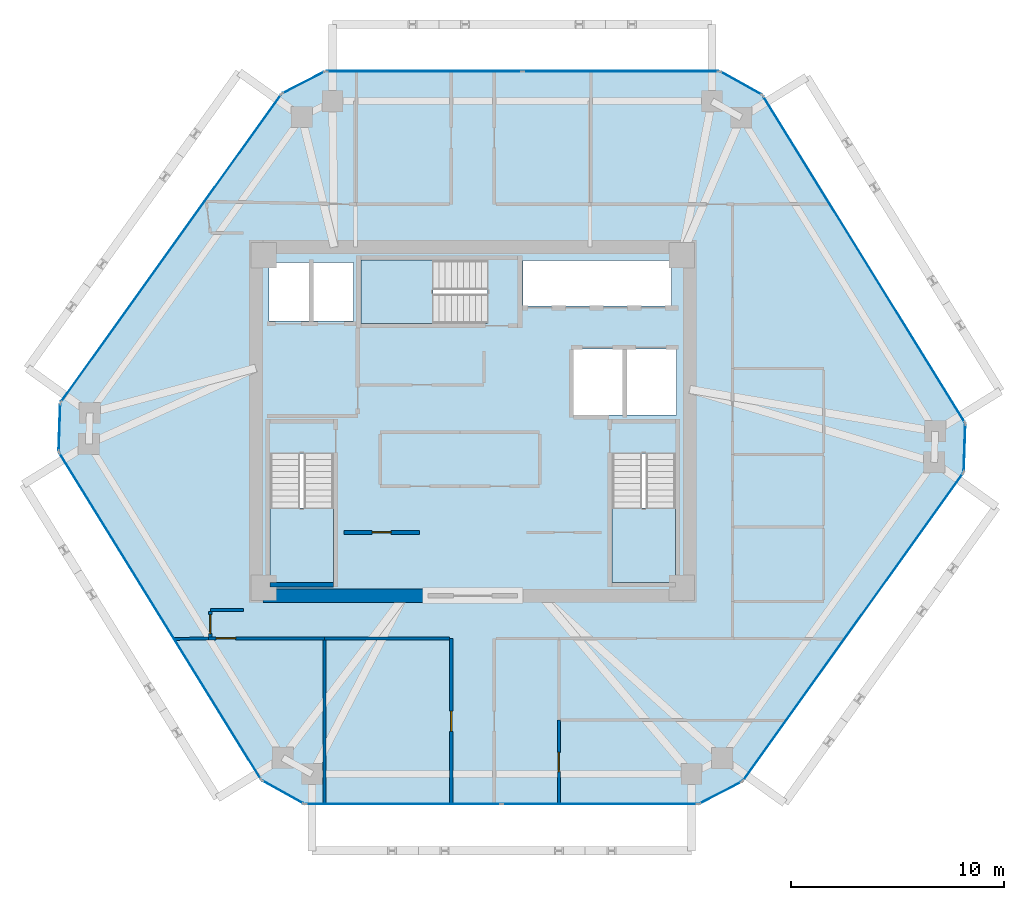
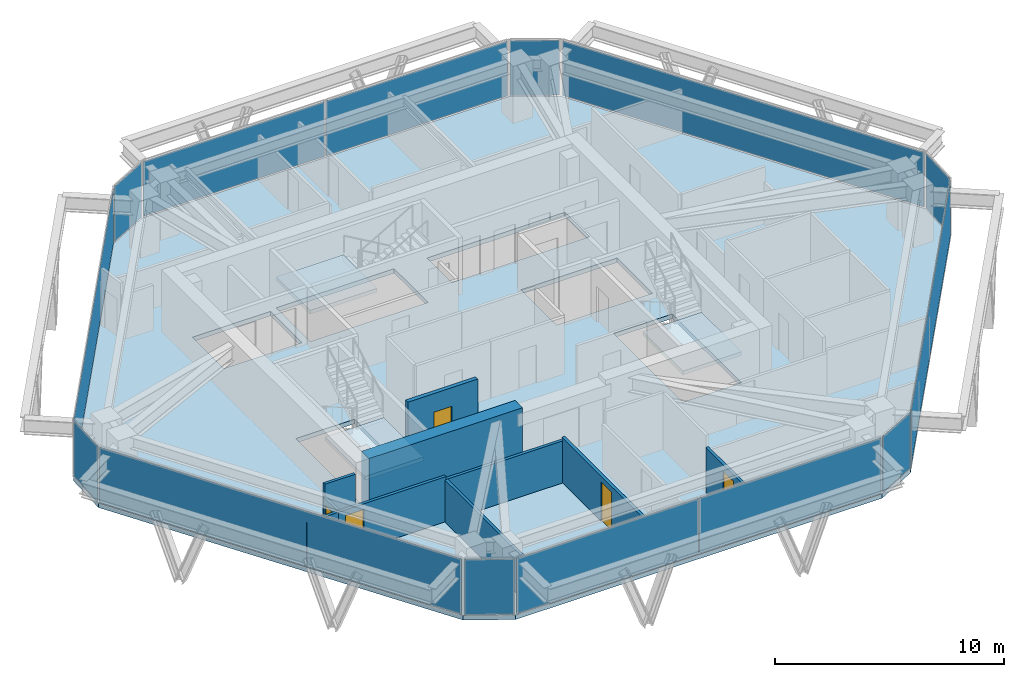
# One storey, part 7 of 11: 14 plates, 11 walls, 5 doors, 4 slabs, 5 openings, 15 elements without a shape of their own.
"""IFC4 building model written with IfcOpenShell, lengths in metres."""

from ifc_helpers import new_model, si_unit, direction, frame, frame_2d, origin, origin_2d, place, context, subcontext, project, spatial, polyline, rectangle, outline, extrude, source, transform, mapped, material, layer, layer_set, type_object, type_shapes, element, fill, aggregate, save


model = new_model("IFC4")

# Units and contexts
model_context = context("Model", 3, precision=1e-05, world=origin(), true_north=direction((0.0, 1.0)))
body_context = subcontext(model_context, "Body", "Model", "MODEL_VIEW")
ifc_project = project(units=[si_unit("LENGTHUNIT", "METRE"), si_unit("AREAUNIT", "SQUARE_METRE"), si_unit("VOLUMEUNIT", "CUBIC_METRE"), si_unit("PLANEANGLEUNIT", "RADIAN"), si_unit("MASSUNIT", "GRAM", prefix="KILO")], contexts=[model_context])

# Site, building, storey
site_placement = place(None, origin())
site = spatial("IfcSite", under=ifc_project, at=site_placement, CompositionType="ELEMENT")
building_placement = place(site_placement, origin())
building = spatial("IfcBuilding", under=site, at=building_placement, Name="Durnholm Broadcast Tower", CompositionType="ELEMENT")
storey_placement = place(building_placement, frame((0.0, 0.0, 183.699951171875)))
storey = spatial("IfcBuildingStorey", under=building, at=storey_placement, Name="L50", CompositionType="ELEMENT", Elevation=183.699951171875)

# Slab
ifc_material_1 = material(Name="Concrete C50/60", Category="concrete")
ifc_layer_1 = layer(ifc_material_1, 0.239990234375)
ifc_layer_set_1 = layer_set([ifc_layer_1], Name="Concrete C50/60")
slab_type_1 = type_object("IfcSlabType", Name="SLAB-FLR-240", PredefinedType="FLOOR", material=ifc_layer_set_1)
slab_1_placement = place(storey_placement, frame((0.0, 0.0, -0.239990234375)))
element("IfcSlab", 1, at=slab_1_placement, inside=storey, type_object=slab_type_1, Name="L50 structural floor slab", PredefinedType="FLOOR", context=body_context, shape_type="SweptSolid", body=[
    extrude(outline(polyline([(-9.912353515625, -16.822021484375), (-7.9033203125, -17.94189453125), (10.59521484375, -17.94189453125), (12.64111328125, -16.890625), (23.022705078125, -2.390380859375), (23.1005859375, -0.091552734375), (13.59033203125, 15.2978515625), (11.581298828125, 16.41796875), (-6.917236328125, 16.41796875), (-8.962890625, 15.36669921875), (-19.3447265625, 0.8662109375), (-19.422607421875, -1.432373046875), (-9.912353515625, -16.822021484375)]), holes=[polyline([(-6.5400390625, -1.5), (-9.5, -1.5), (-9.5, -7.550048828125), (-6.5400390625, -7.550048828125), (-6.5400390625, -1.5)]), polyline([(9.5, -7.550048828125), (9.5, -1.5), (6.5400390625, -1.5), (6.5400390625, -7.550048828125), (9.5, -7.550048828125)]), polyline([(9.550048828125, 3.39990234375), (4.699951171875, 3.39990234375), (4.699951171875, 0.300048828125), (9.550048828125, 0.300048828125), (9.550048828125, 3.39990234375)]), polyline([(-9.550048828125, 7.449951171875), (-9.550048828125, 4.699951171875), (-5.60009765625, 4.699951171875), (-5.60009765625, 7.449951171875), (-9.550048828125, 7.449951171875)]), polyline([(-5.25, 4.60009765625), (0.699951171875, 4.60009765625), (0.699951171875, 7.56005859375), (-5.25, 7.56005859375), (-5.25, 4.60009765625)]), polyline([(9.31005859375, 7.550048828125), (2.35009765625, 7.550048828125), (2.35009765625, 5.39990234375), (9.31005859375, 5.39990234375), (9.31005859375, 7.550048828125)])]), origin(), (0.0, 0.0, 1.0), 0.239990234375),
])

# Stair, slab
stair_type = type_object("IfcStairType", Name="STAIR-DL-20R1650", PredefinedType="HALF_TURN_STAIR", material=ifc_material_1)
stair_1_placement = place(storey_placement, origin())
stair_1 = element("IfcStair", 2, at=stair_1_placement, inside=storey, type_object=stair_type, Name="L50 ST-1", PredefinedType="HALF_TURN_STAIR")
ifc_layer_2 = layer(ifc_material_1, 0.199951171875)
ifc_layer_set_2 = layer_set([ifc_layer_2], Name="Concrete C50/60")
slab_type_2 = type_object("IfcSlabType", Name="SLAB-LND-200", PredefinedType="LANDING", material=ifc_layer_set_2)
slab_2_placement = place(storey_placement, frame((0.0, 0.0, 1.449951171875)))
slab_2 = element("IfcSlab", 3, at=slab_2_placement, type_object=slab_type_2, Name="ST-1 landing 1", PredefinedType="LANDING", context=body_context, shape_type="SweptSolid", body=[
    extrude(outline(polyline([(-9.5, -4.06494140625), (-9.5, -7.550048828125), (-6.5400390625, -7.550048828125), (-6.5400390625, -4.06494140625), (-9.5, -4.06494140625)])), origin(), (0.0, 0.0, 1.0), 0.2001953125),
])
aggregate(stair_1, [slab_2])

stair_2_placement = place(storey_placement, origin())
stair_2 = element("IfcStair", 4, at=stair_2_placement, inside=storey, type_object=stair_type, Name="L50 ST-2", PredefinedType="HALF_TURN_STAIR")
slab_3_placement = place(storey_placement, frame((0.0, 0.0, 1.449951171875)))
slab_3 = element("IfcSlab", 5, at=slab_3_placement, type_object=slab_type_2, Name="ST-2 landing 1", PredefinedType="LANDING", context=body_context, shape_type="SweptSolid", body=[
    extrude(outline(polyline([(6.5400390625, -4.06494140625), (6.5400390625, -7.550048828125), (9.5, -7.550048828125), (9.5, -4.06494140625), (6.5400390625, -4.06494140625)])), origin(), (0.0, 0.0, 1.0), 0.2001953125),
])
aggregate(stair_2, [slab_3])

stair_3_placement = place(storey_placement, origin())
stair_3 = element("IfcStair", 6, at=stair_3_placement, inside=storey, type_object=stair_type, Name="L50 ST-3", PredefinedType="HALF_TURN_STAIR")
slab_4_placement = place(storey_placement, frame((0.0, 0.0, 1.449951171875)))
slab_4 = element("IfcSlab", 7, at=slab_4_placement, type_object=slab_type_2, Name="ST-3 landing 1", PredefinedType="LANDING", context=body_context, shape_type="SweptSolid", body=[
    extrude(outline(polyline([(-1.864990234375, 7.56005859375), (-5.25, 7.56005859375), (-5.25, 4.60009765625), (-1.864990234375, 4.60009765625), (-1.864990234375, 7.56005859375)])), origin(), (0.0, 0.0, 1.0), 0.2001953125),
])
aggregate(stair_3, [slab_4])

# Curtain wall, plate
ifc_material_2 = material(Name="Aluminium and Solar Control IGU", Category="aluminium")
ifc_layer_3 = layer(ifc_material_2, 0.1650390625)
ifc_layer_set_3 = layer_set([ifc_layer_3], Name="Aluminium and Solar Control IGU")
curtain_wall_type_1 = type_object("IfcCurtainWallType", Name="CW-SYS-5", PredefinedType="NOTDEFINED", material=ifc_layer_set_3)
curtain_wall_1_placement = place(storey_placement, origin())
curtain_wall_1 = element("IfcCurtainWall", 8, at=curtain_wall_1_placement, inside=storey, type_object=curtain_wall_type_1, Name="L50 curtain wall CW-CORNER CW-L50-CRN-01", PredefinedType="NOTDEFINED")
ifc_material_3 = material(Name="Low-E Laminated Insulating Glass", Category="glass")
ifc_layer_4 = layer(ifc_material_3, 0.030029296875)
ifc_layer_set_4 = layer_set([ifc_layer_4], Name="Low-E Laminated Insulating Glass")
plate_type_1 = type_object("IfcPlateType", Name="CW-SYS-5-PNL", PredefinedType="CURTAIN_PANEL", material=ifc_layer_set_4)
shared_shape_1 = source(origin(), body_context, "Body", "SweptSolid", [
    extrude(rectangle(XDim=2.169921875, YDim=0.030029296875, at=origin_2d()), origin(), (0.0, 0.0, 1.0), 2.929931640625),
])
plate_1_placement = place(storey_placement, frame((-19.3837890625, -0.282958984375, 0.06494140625), z_axis=(0.0, 0.0, 1.0), x_axis=(0.033912704699, 0.999424798802, 0.0)))
plate_1 = element("IfcPlate", 9, at=plate_1_placement, type_object=plate_type_1, Name="CW-CORNER panel 1.1", PredefinedType="CURTAIN_PANEL", context=body_context, shape_type="MappedRepresentation", body=[
    mapped(shared_shape_1, transform((0.0, 0.0, 0.0), x_axis=(1.0, 0.0, 0.0), y_axis=(0.0, 1.0, 0.0), z_axis=(0.0, 0.0, 1.0), scale=1.0)),
])
aggregate(curtain_wall_1, [plate_1])

curtain_wall_2_placement = place(storey_placement, origin())
curtain_wall_2 = element("IfcCurtainWall", 10, at=curtain_wall_2_placement, inside=storey, type_object=curtain_wall_type_1, Name="L50 curtain wall CW-CORNER CW-L50-CRN-03", PredefinedType="NOTDEFINED")
plate_2_placement = place(storey_placement, frame((-7.940185546875, 15.892333984375, 0.06494140625), z_axis=(0.0, 0.0, 1.0), x_axis=(0.889424679545, 0.457081764476, 0.0)))
plate_2 = element("IfcPlate", 11, at=plate_2_placement, type_object=plate_type_1, Name="CW-CORNER panel 1.1", PredefinedType="CURTAIN_PANEL", context=body_context, shape_type="MappedRepresentation", body=[
    mapped(shared_shape_1, transform((0.0, 0.0, 0.0), x_axis=(1.0, 0.0, 0.0), y_axis=(0.0, 1.0, 0.0), z_axis=(0.0, 0.0, 1.0), scale=1.0)),
])
aggregate(curtain_wall_2, [plate_2])

curtain_wall_3_placement = place(storey_placement, origin())
curtain_wall_3 = element("IfcCurtainWall", 12, at=curtain_wall_3_placement, inside=storey, type_object=curtain_wall_type_1, Name="L50 curtain wall CW-CORNER CW-L50-CRN-07", PredefinedType="NOTDEFINED")
plate_3_placement = place(storey_placement, frame((23.061767578125, -1.240966796875, 0.06494140625), z_axis=(0.0, 0.0, 1.0), x_axis=(-0.033912704699, -0.999424798802, 0.0)))
plate_3 = element("IfcPlate", 13, at=plate_3_placement, type_object=plate_type_1, Name="CW-CORNER panel 1.1", PredefinedType="CURTAIN_PANEL", context=body_context, shape_type="MappedRepresentation", body=[
    mapped(shared_shape_1, transform((0.0, 0.0, 0.0), x_axis=(1.0, 0.0, 0.0), y_axis=(0.0, 1.0, 0.0), z_axis=(0.0, 0.0, 1.0), scale=1.0)),
])
aggregate(curtain_wall_3, [plate_3])

curtain_wall_4_placement = place(storey_placement, origin())
curtain_wall_4 = element("IfcCurtainWall", 14, at=curtain_wall_4_placement, inside=storey, type_object=curtain_wall_type_1, Name="L50 curtain wall CW-CORNER CW-L50-CRN-09", PredefinedType="NOTDEFINED")
plate_4_placement = place(storey_placement, frame((11.6181640625, -17.416259765625, 0.06494140625), z_axis=(0.0, 0.0, 1.0), x_axis=(-0.889424679545, -0.457081764476, 0.0)))
plate_4 = element("IfcPlate", 15, at=plate_4_placement, type_object=plate_type_1, Name="CW-CORNER panel 1.1", PredefinedType="CURTAIN_PANEL", context=body_context, shape_type="MappedRepresentation", body=[
    mapped(shared_shape_1, transform((0.0, 0.0, 0.0), x_axis=(1.0, 0.0, 0.0), y_axis=(0.0, 1.0, 0.0), z_axis=(0.0, 0.0, 1.0), scale=1.0)),
])
aggregate(curtain_wall_4, [plate_4])

ifc_layer_5 = layer(ifc_material_2, 0.18994140625)
ifc_layer_set_5 = layer_set([ifc_layer_5], Name="Aluminium and Solar Control IGU")
curtain_wall_type_2 = type_object("IfcCurtainWallType", Name="CW-SYS-4", PredefinedType="NOTDEFINED", material=ifc_layer_set_5)
curtain_wall_5_placement = place(storey_placement, origin())
curtain_wall_5 = element("IfcCurtainWall", 16, at=curtain_wall_5_placement, inside=storey, type_object=curtain_wall_type_2, Name="L50 curtain wall CW-Z34-VIS CW-L50-F02", PredefinedType="NOTDEFINED")
ifc_layer_6 = layer(ifc_material_3, 0.033935546875)
ifc_layer_set_6 = layer_set([ifc_layer_6], Name="Low-E Laminated Insulating Glass")
plate_type_2 = type_object("IfcPlateType", Name="CW-SYS-4-PNL", PredefinedType="CURTAIN_PANEL", material=ifc_layer_set_6)
shared_shape_2 = source(origin(), body_context, "Body", "SweptSolid", [
    extrude(rectangle(XDim=17.693603515625, YDim=0.033935546875, at=origin_2d()), origin(), (0.0, 0.0, 1.0), 2.919921875),
])
plate_5_placement = place(storey_placement, frame((-14.15380859375, 8.116455078125, 0.070068359375), z_axis=(0.0, 0.0, 1.0), x_axis=(0.582139030549, 0.813089262696, 0.0)))
plate_5 = element("IfcPlate", 17, at=plate_5_placement, type_object=plate_type_2, Name="CW-Z34-VIS panel 1.1", PredefinedType="CURTAIN_PANEL", context=body_context, shape_type="MappedRepresentation", body=[
    mapped(shared_shape_2, transform((0.0, 0.0, 0.0), x_axis=(1.0, 0.0, 0.0), y_axis=(0.0, 1.0, 0.0), z_axis=(0.0, 0.0, 1.0), scale=1.0)),
])
aggregate(curtain_wall_5, [plate_5])

curtain_wall_6_placement = place(storey_placement, origin())
curtain_wall_6 = element("IfcCurtainWall", 18, at=curtain_wall_6_placement, inside=storey, type_object=curtain_wall_type_2, Name="L50 curtain wall CW-Z34-VIS CW-L50-F08", PredefinedType="NOTDEFINED")
plate_6_placement = place(storey_placement, frame((17.831787109375, -9.640380859375, 0.070068359375), z_axis=(0.0, 0.0, 1.0), x_axis=(-0.582139030549, -0.813089262696, 0.0)))
plate_6 = element("IfcPlate", 19, at=plate_6_placement, type_object=plate_type_2, Name="CW-Z34-VIS panel 1.1", PredefinedType="CURTAIN_PANEL", context=body_context, shape_type="MappedRepresentation", body=[
    mapped(shared_shape_2, transform((0.0, 0.0, 0.0), x_axis=(1.0, 0.0, 0.0), y_axis=(0.0, 1.0, 0.0), z_axis=(0.0, 0.0, 1.0), scale=1.0)),
])
aggregate(curtain_wall_6, [plate_6])

# Curtain wall, plates
curtain_wall_7_placement = place(storey_placement, origin())
curtain_wall_7 = element("IfcCurtainWall", 20, at=curtain_wall_7_placement, inside=storey, type_object=curtain_wall_type_2, Name="L50 curtain wall CW-Z34-VIS CW-L50-F04", PredefinedType="NOTDEFINED")
shared_shape_3 = source(origin(), body_context, "Body", "SweptSolid", [
    extrude(rectangle(XDim=9.144287109375, YDim=0.033935546875, at=origin_2d()), origin(), (0.0, 0.0, 1.0), 2.919921875),
])
plate_7_placement = place(storey_placement, frame((-2.275146484375, 16.41796875, 0.070068359375), z_axis=(0.0, 0.0, 1.0), x_axis=(1.0, 0.0, 0.0)))
plate_7 = element("IfcPlate", 21, at=plate_7_placement, type_object=plate_type_2, Name="CW-Z34-VIS panel 1.1", PredefinedType="CURTAIN_PANEL", context=body_context, shape_type="MappedRepresentation", body=[
    mapped(shared_shape_3, transform((0.0, 0.0, 0.0), x_axis=(1.0, 0.0, 0.0), y_axis=(0.0, 1.0, 0.0), z_axis=(0.0, 0.0, 1.0), scale=1.0)),
])
plate_8_placement = place(storey_placement, frame((6.939208984375, 16.41796875, 0.070068359375), z_axis=(0.0, 0.0, 1.0), x_axis=(1.0, 0.0, 0.0)))
plate_8 = element("IfcPlate", 22, at=plate_8_placement, type_object=plate_type_2, Name="CW-Z34-VIS panel 2.1", PredefinedType="CURTAIN_PANEL", context=body_context, shape_type="MappedRepresentation", body=[
    mapped(shared_shape_3, transform((0.0, 0.0, 0.0), x_axis=(1.0, 0.0, 0.0), y_axis=(0.0, 1.0, 0.0), z_axis=(0.0, 0.0, 1.0), scale=1.0)),
])
aggregate(curtain_wall_7, [plate_7, plate_8])

curtain_wall_8_placement = place(storey_placement, origin())
curtain_wall_8 = element("IfcCurtainWall", 23, at=curtain_wall_8_placement, inside=storey, type_object=curtain_wall_type_2, Name="L50 curtain wall CW-Z34-VIS CW-L50-F10", PredefinedType="NOTDEFINED")
plate_9_placement = place(storey_placement, frame((5.953125, -17.94189453125, 0.070068359375), z_axis=(0.0, 0.0, 1.0), x_axis=(-1.0, 0.0, 0.0)))
plate_9 = element("IfcPlate", 24, at=plate_9_placement, type_object=plate_type_2, Name="CW-Z34-VIS panel 1.1", PredefinedType="CURTAIN_PANEL", context=body_context, shape_type="MappedRepresentation", body=[
    mapped(shared_shape_3, transform((0.0, 0.0, 0.0), x_axis=(1.0, 0.0, 0.0), y_axis=(0.0, 1.0, 0.0), z_axis=(0.0, 0.0, 1.0), scale=1.0)),
])
plate_10_placement = place(storey_placement, frame((-3.26123046875, -17.94189453125, 0.070068359375), z_axis=(0.0, 0.0, 1.0), x_axis=(-1.0, 0.0, 0.0)))
plate_10 = element("IfcPlate", 25, at=plate_10_placement, type_object=plate_type_2, Name="CW-Z34-VIS panel 2.1", PredefinedType="CURTAIN_PANEL", context=body_context, shape_type="MappedRepresentation", body=[
    mapped(shared_shape_3, transform((0.0, 0.0, 0.0), x_axis=(1.0, 0.0, 0.0), y_axis=(0.0, 1.0, 0.0), z_axis=(0.0, 0.0, 1.0), scale=1.0)),
])
aggregate(curtain_wall_8, [plate_9, plate_10])

# Curtain wall, plate
curtain_wall_9_placement = place(storey_placement, origin())
curtain_wall_9 = element("IfcCurtainWall", 26, at=curtain_wall_9_placement, inside=storey, type_object=curtain_wall_type_1, Name="L50 curtain wall CW-CORNER CW-L50-CRN-05", PredefinedType="NOTDEFINED")
shared_shape_4 = source(origin(), body_context, "Body", "SweptSolid", [
    extrude(rectangle(XDim=2.170166015625, YDim=0.030029296875, at=origin_2d()), origin(), (0.0, 0.0, 1.0), 2.929931640625),
])
type_shapes(plate_type_1, [shared_shape_1, shared_shape_4])
plate_11_placement = place(storey_placement, frame((12.5859375, 15.85791015625, 0.06494140625), z_axis=(0.0, 0.0, 1.0), x_axis=(0.873409751271, -0.486986043316, 0.0)))
plate_11 = element("IfcPlate", 27, at=plate_11_placement, type_object=plate_type_1, Name="CW-CORNER panel 1.1", PredefinedType="CURTAIN_PANEL", context=body_context, shape_type="MappedRepresentation", body=[
    mapped(shared_shape_4, transform((0.0, 0.0, 0.0), x_axis=(1.0, 0.0, 0.0), y_axis=(0.0, 1.0, 0.0), z_axis=(0.0, 0.0, 1.0), scale=1.0)),
])
aggregate(curtain_wall_9, [plate_11])

curtain_wall_10_placement = place(storey_placement, origin())
curtain_wall_10 = element("IfcCurtainWall", 28, at=curtain_wall_10_placement, inside=storey, type_object=curtain_wall_type_1, Name="L50 curtain wall CW-CORNER CW-L50-CRN-11", PredefinedType="NOTDEFINED")
plate_12_placement = place(storey_placement, frame((-8.907958984375, -17.3818359375, 0.06494140625), z_axis=(0.0, 0.0, 1.0), x_axis=(-0.873409751271, 0.486986043316, 0.0)))
plate_12 = element("IfcPlate", 29, at=plate_12_placement, type_object=plate_type_1, Name="CW-CORNER panel 1.1", PredefinedType="CURTAIN_PANEL", context=body_context, shape_type="MappedRepresentation", body=[
    mapped(shared_shape_4, transform((0.0, 0.0, 0.0), x_axis=(1.0, 0.0, 0.0), y_axis=(0.0, 1.0, 0.0), z_axis=(0.0, 0.0, 1.0), scale=1.0)),
])
aggregate(curtain_wall_10, [plate_12])

curtain_wall_11_placement = place(storey_placement, origin())
curtain_wall_11 = element("IfcCurtainWall", 30, at=curtain_wall_11_placement, inside=storey, type_object=curtain_wall_type_2, Name="L50 curtain wall CW-Z34-VIS CW-L50-F06", PredefinedType="NOTDEFINED")
shared_shape_5 = source(origin(), body_context, "Body", "SweptSolid", [
    extrude(rectangle(XDim=17.950927734375, YDim=0.033935546875, at=origin_2d()), origin(), (0.0, 0.0, 1.0), 2.919921875),
])
type_shapes(plate_type_2, [shared_shape_2, shared_shape_3, shared_shape_5])
plate_13_placement = place(storey_placement, frame((18.345458984375, 7.603271484375, 0.070068359375), z_axis=(0.0, 0.0, 1.0), x_axis=(0.525697750452, -0.850671426092, 0.0)))
plate_13 = element("IfcPlate", 31, at=plate_13_placement, type_object=plate_type_2, Name="CW-Z34-VIS panel 1.1", PredefinedType="CURTAIN_PANEL", context=body_context, shape_type="MappedRepresentation", body=[
    mapped(shared_shape_5, transform((0.0, 0.0, 0.0), x_axis=(1.0, 0.0, 0.0), y_axis=(0.0, 1.0, 0.0), z_axis=(0.0, 0.0, 1.0), scale=1.0)),
])
aggregate(curtain_wall_11, [plate_13])

curtain_wall_12_placement = place(storey_placement, origin())
curtain_wall_12 = element("IfcCurtainWall", 32, at=curtain_wall_12_placement, inside=storey, type_object=curtain_wall_type_2, Name="L50 curtain wall CW-Z34-VIS CW-L50-F12", PredefinedType="NOTDEFINED")
plate_14_placement = place(storey_placement, frame((-14.66748046875, -9.127197265625, 0.070068359375), z_axis=(0.0, 0.0, 1.0), x_axis=(-0.525697750452, 0.850671426092, 0.0)))
plate_14 = element("IfcPlate", 33, at=plate_14_placement, type_object=plate_type_2, Name="CW-Z34-VIS panel 1.1", PredefinedType="CURTAIN_PANEL", context=body_context, shape_type="MappedRepresentation", body=[
    mapped(shared_shape_5, transform((0.0, 0.0, 0.0), x_axis=(1.0, 0.0, 0.0), y_axis=(0.0, 1.0, 0.0), z_axis=(0.0, 0.0, 1.0), scale=1.0)),
])
aggregate(curtain_wall_12, [plate_14])

# Wall
ifc_material_4 = material(Name="Concrete C70/85", Category="concrete")
ifc_layer_7 = layer(ifc_material_4, 0.64990234375)
ifc_layer_set_7 = layer_set([ifc_layer_7], Name="Concrete C70/85")
wall_type_1 = type_object("IfcWallType", Name="WALL-CW-650", PredefinedType="SHEAR", material=ifc_layer_set_7)
wall_1_placement = place(storey_placement, frame((-9.85009765625, -8.175048828125, 0.0), z_axis=(0.0, 0.0, 1.0), x_axis=(1.0, 0.0, 0.0)))
element("IfcWall", 34, at=wall_1_placement, inside=storey, type_object=wall_type_1, Name="L50 central core shear wall CW-S1", PredefinedType="SHEAR", context=body_context, shape_type="SweptSolid", body=[
    extrude(rectangle(XDim=7.75, YDim=0.64990234375, at=frame_2d((3.875, 0.0))), origin(), (0.0, 0.0, 1.0), 3.300048828125),
])

# Wall, opening, door
ifc_material_5 = material(Name="Fire-Rated Gypsum Shaftwall", Category="concrete")
ifc_layer_8 = layer(ifc_material_5, 0.199951171875)
ifc_layer_set_8 = layer_set([ifc_layer_8], Name="Fire-Rated Gypsum Shaftwall")
wall_type_2 = type_object("IfcWallType", Name="WALL-LOB-200", PredefinedType="SOLIDWALL", material=ifc_layer_set_8)
wall_2_placement = place(storey_placement, frame((-6.0400390625, -5.2099609375, 0.0), z_axis=(0.0, 0.0, 1.0), x_axis=(1.0, 0.0, 0.0)))
wall_2 = element("IfcWall", 35, at=wall_2_placement, inside=storey, type_object=wall_type_2, Name="L50 Broadcast Signal Rack Room corridor partition", PredefinedType="SOLIDWALL", context=body_context, shape_type="SweptSolid", body=[
    extrude(rectangle(XDim=3.530029296875, YDim=0.199951171875, at=frame_2d((1.76513671875, 0.0))), origin(), (0.0, 0.0, 1.0), 3.045166015625),
])
opening_1_placement = place(wall_2_placement, frame((1.31494140625, 0.0, 0.0)))
opening_1 = element("IfcOpeningElement", 36, at=opening_1_placement, cuts=wall_2, Name="Opening DC-60L", PredefinedType="OPENING", context=body_context, shape_type="SweptSolid", body=[
    extrude(rectangle(XDim=0.89990234375, YDim=2.050048828125, at=frame_2d((0.449951171875, 1.02490234375))), frame((0.0, 0.10986328125, 0.0), z_axis=(0.0, -1.0, 0.0), x_axis=(1.0, 0.0, 0.0)), (0.0, 0.0, 1.0), 0.219970703125),
])
ifc_material_6 = material(Name="Fire-Rated Core Service Door", Category="steel")
ifc_layer_9 = layer(ifc_material_6, 0.050048828125)
ifc_layer_set_9 = layer_set([ifc_layer_9], Name="Fire-Rated Core Service Door")
door_type_1 = type_object("IfcDoorType", Name="DOOR-CORE-FD60-L", OperationType="NOTDEFINED", PredefinedType="DOOR", material=ifc_layer_set_9)
shared_shape_6 = source(origin(), body_context, "Body", "SweptSolid", [
    extrude(rectangle(XDim=0.89990234375, YDim=2.050048828125, at=frame_2d((0.449951171875, 1.02490234375))), frame((0.0, 0.02490234375, 0.0), z_axis=(0.0, -1.0, 0.0), x_axis=(1.0, 0.0, 0.0)), (0.0, 0.0, 1.0), 0.050048828125),
])
type_shapes(door_type_1, [shared_shape_6])
door_1_placement = place(opening_1_placement, origin())
door_1 = element("IfcDoor", 37, at=door_1_placement, inside=storey, type_object=door_type_1, Name="L50 Broadcast Signal Rack Room entrance door", OperationType="SINGLE_SWING_LEFT", OverallHeight=2.050048828125, OverallWidth=0.89990234375, PredefinedType="DOOR", context=body_context, shape_type="MappedRepresentation", body=[
    mapped(shared_shape_6, transform((0.0, 0.0, 0.0), x_axis=(1.0, 0.0, 0.0), y_axis=(0.0, 1.0, 0.0), z_axis=(0.0, 0.0, 1.0), scale=1.0)),
])
fill(opening_1, door_1)

# Walls
ifc_material_7 = material(Name="Gypsum Metal Stud Partition", Category="concrete")
ifc_layer_10 = layer(ifc_material_7, 0.135009765625)
ifc_layer_set_10 = layer_set([ifc_layer_10], Name="Gypsum Metal Stud Partition")
wall_type_3 = type_object("IfcWallType", Name="WALL-PART-135", PredefinedType="PARTITIONING", material=ifc_layer_set_10)
wall_3_placement = place(storey_placement, frame((-6.9599609375, -10.259033203125, 0.0), z_axis=(0.0, 0.0, 1.0), x_axis=(0.0, -1.0, 0.0)))
element("IfcWall", 38, at=wall_3_placement, inside=storey, type_object=wall_type_3, Name="L50 room dividing partition 13.14", PredefinedType="PARTITIONING", context=body_context, shape_type="SweptSolid", body=[
    extrude(rectangle(XDim=7.682861328125, YDim=0.135009765625, at=frame_2d((3.84130859375, 0.0))), origin(), (0.0, 0.0, 1.0), 2.241943359375),
])
wall_4_placement = place(storey_placement, frame((-14.00390625, -10.200927734375, 0.0), z_axis=(0.0, 0.0, 1.0), x_axis=(0.999923084603, 0.012402615782, 0.0)))
element("IfcWall", 39, at=wall_4_placement, inside=storey, type_object=wall_type_3, Name="L50 room dividing partition 13.18", PredefinedType="PARTITIONING", context=body_context, shape_type="SweptSolid", body=[
    extrude(rectangle(XDim=1.6142578125, YDim=0.135009765625, at=frame_2d((0.80712890625, 0.0))), origin(), (0.0, 0.0, 1.0), 2.39892578125),
])

# Wall, opening, door
wall_5_placement = place(storey_placement, frame((4.0400390625, -14.0009765625, 0.0), z_axis=(0.0, 0.0, 1.0), x_axis=(0.0, -1.0, 0.0)))
wall_5 = element("IfcWall", 40, at=wall_5_placement, inside=storey, type_object=wall_type_3, Name="L50 room dividing partition 15.16", PredefinedType="PARTITIONING", context=body_context, shape_type="SweptSolid", body=[
    extrude(rectangle(XDim=3.94091796875, YDim=0.135009765625, at=frame_2d((1.970458984375, 0.0))), origin(), (0.0, 0.0, 1.0), 2.39892578125),
])
opening_2_placement = place(wall_5_placement, frame((1.5205078125, 0.0, 0.0)))
opening_2 = element("IfcOpeningElement", 41, at=opening_2_placement, cuts=wall_5, Name="Opening DW-90L", PredefinedType="OPENING", context=body_context, shape_type="SweptSolid", body=[
    extrude(rectangle(XDim=0.89990234375, YDim=2.050048828125, at=frame_2d((0.449951171875, 1.02490234375))), frame((0.0, 0.07763671875, 0.0), z_axis=(0.0, -1.0, 0.0), x_axis=(1.0, 0.0, 0.0)), (0.0, 0.0, 1.0), 0.155029296875),
])
ifc_material_8 = material(Name="Laminate Restroom Door", Category="steel")
ifc_layer_11 = layer(ifc_material_8, 0.050048828125)
ifc_layer_set_11 = layer_set([ifc_layer_11], Name="Laminate Restroom Door")
door_type_2 = type_object("IfcDoorType", Name="DOOR-WC-900L", OperationType="NOTDEFINED", PredefinedType="DOOR", material=ifc_layer_set_11)
shared_shape_7 = source(origin(), body_context, "Body", "SweptSolid", [
    extrude(rectangle(XDim=0.89990234375, YDim=2.050048828125, at=frame_2d((0.449951171875, 1.02490234375))), frame((0.0, 0.02490234375, 0.0), z_axis=(0.0, -1.0, 0.0), x_axis=(1.0, 0.0, 0.0)), (0.0, 0.0, 1.0), 0.050048828125),
])
type_shapes(door_type_2, [shared_shape_7])
door_2_placement = place(opening_2_placement, origin())
door_2 = element("IfcDoor", 42, at=door_2_placement, inside=storey, type_object=door_type_2, Name="L50 Open Plan Broadcast Workspace 3 connecting door", OperationType="SINGLE_SWING_LEFT", OverallHeight=2.050048828125, OverallWidth=0.89990234375, PredefinedType="DOOR", context=body_context, shape_type="MappedRepresentation", body=[
    mapped(shared_shape_7, transform((0.0, 0.0, 0.0), x_axis=(1.0, 0.0, 0.0), y_axis=(0.0, 1.0, 0.0), z_axis=(0.0, 0.0, 1.0), scale=1.0)),
])
fill(opening_2, door_2)

ifc_material_9 = material(Name="Acoustic Gypsum Stud Partition", Category="concrete")
ifc_layer_12 = layer(ifc_material_9, 0.14990234375)
ifc_layer_set_12 = layer_set([ifc_layer_12], Name="Acoustic Gypsum Stud Partition")
wall_type_4 = type_object("IfcWallType", Name="WALL-PART-150", PredefinedType="PARTITIONING", material=ifc_layer_set_12)
wall_6_placement = place(storey_placement, frame((-12.389892578125, -10.179931640625, 0.0), z_axis=(0.0, 0.0, 1.0), x_axis=(1.0, 0.0, 0.0)))
wall_6 = element("IfcWall", 43, at=wall_6_placement, inside=storey, type_object=wall_type_4, Name="L50 Open Plan Broadcast Workspace 6 corridor partition", PredefinedType="PARTITIONING", context=body_context, shape_type="SweptSolid", body=[
    extrude(rectangle(XDim=5.429931640625, YDim=0.14990234375, at=frame_2d((2.71484375, 0.0))), origin(), (0.0, 0.0, 1.0), 2.39892578125),
])
opening_3_placement = place(wall_6_placement, frame((0.35009765625, 0.0, 0.0)))
opening_3 = element("IfcOpeningElement", 44, at=opening_3_placement, cuts=wall_6, Name="Opening DR-92L", PredefinedType="OPENING", context=body_context, shape_type="SweptSolid", body=[
    extrude(rectangle(XDim=0.919921875, YDim=2.10009765625, at=frame_2d((0.4599609375, 1.050048828125))), frame((0.0, 0.0849609375, 0.0), z_axis=(0.0, -1.0, 0.0), x_axis=(1.0, 0.0, 0.0)), (0.0, 0.0, 1.0), 0.169921875),
])
ifc_material_10 = material(Name="Oak Veneer Office Door", Category="wood")
ifc_layer_13 = layer(ifc_material_10, 0.050048828125)
ifc_layer_set_13 = layer_set([ifc_layer_13], Name="Oak Veneer Office Door")
door_type_3 = type_object("IfcDoorType", Name="DOOR-RM-920L", OperationType="NOTDEFINED", PredefinedType="DOOR", material=ifc_layer_set_13)
shared_shape_8 = source(origin(), body_context, "Body", "SweptSolid", [
    extrude(rectangle(XDim=0.919921875, YDim=2.10009765625, at=frame_2d((0.4599609375, 1.050048828125))), frame((0.0, 0.02490234375, 0.0), z_axis=(0.0, -1.0, 0.0), x_axis=(1.0, 0.0, 0.0)), (0.0, 0.0, 1.0), 0.050048828125),
])
type_shapes(door_type_3, [shared_shape_8])
door_3_placement = place(opening_3_placement, origin())
door_3 = element("IfcDoor", 45, at=door_3_placement, inside=storey, type_object=door_type_3, Name="L50 Open Plan Broadcast Workspace 6 entrance door", OperationType="SINGLE_SWING_LEFT", OverallHeight=2.10009765625, OverallWidth=0.919921875, PredefinedType="DOOR", context=body_context, shape_type="MappedRepresentation", body=[
    mapped(shared_shape_8, transform((0.0, 0.0, 0.0), x_axis=(1.0, 0.0, 0.0), y_axis=(0.0, 1.0, 0.0), z_axis=(0.0, 0.0, 1.0), scale=1.0)),
])
fill(opening_3, door_3)

wall_7_placement = place(storey_placement, frame((-1.010009765625, -10.179931640625, 0.0), z_axis=(0.0, 0.0, 1.0), x_axis=(0.0, -1.0, 0.0)))
wall_7 = element("IfcWall", 46, at=wall_7_placement, inside=storey, type_object=wall_type_4, Name="L50 Barista Kitchen corridor partition", PredefinedType="PARTITIONING", context=body_context, shape_type="SweptSolid", body=[
    extrude(rectangle(XDim=7.761962890625, YDim=0.14990234375, at=frame_2d((3.880859375, 0.0))), origin(), (0.0, 0.0, 1.0), 2.39892578125),
])
opening_4_placement = place(wall_7_placement, frame((3.406005859375, 0.0, 0.0)))
opening_4 = element("IfcOpeningElement", 47, at=opening_4_placement, cuts=wall_7, Name="Opening DR-95R", PredefinedType="OPENING", context=body_context, shape_type="SweptSolid", body=[
    extrude(rectangle(XDim=0.949951171875, YDim=2.10009765625, at=frame_2d((0.47509765625, 1.050048828125))), frame((0.0, 0.0849609375, 0.0), z_axis=(0.0, -1.0, 0.0), x_axis=(1.0, 0.0, 0.0)), (0.0, 0.0, 1.0), 0.169921875),
])
ifc_material_11 = material(Name="Acoustic Oak Veneer Timber Door", Category="wood")
ifc_layer_14 = layer(ifc_material_11, 0.050048828125)
ifc_layer_set_14 = layer_set([ifc_layer_14], Name="Acoustic Oak Veneer Timber Door")
door_type_4 = type_object("IfcDoorType", Name="DOOR-RM-950R", OperationType="NOTDEFINED", PredefinedType="DOOR", material=ifc_layer_set_14)
shared_shape_9 = source(origin(), body_context, "Body", "SweptSolid", [
    extrude(rectangle(XDim=0.949951171875, YDim=2.10009765625, at=frame_2d((0.47509765625, 1.050048828125))), frame((0.0, 0.02490234375, 0.0), z_axis=(0.0, -1.0, 0.0), x_axis=(1.0, 0.0, 0.0)), (0.0, 0.0, 1.0), 0.050048828125),
])
type_shapes(door_type_4, [shared_shape_9])
door_4_placement = place(opening_4_placement, origin())
door_4 = element("IfcDoor", 48, at=door_4_placement, inside=storey, type_object=door_type_4, Name="L50 Barista Kitchen entrance door", OperationType="SINGLE_SWING_RIGHT", OverallHeight=2.10009765625, OverallWidth=0.949951171875, PredefinedType="DOOR", context=body_context, shape_type="MappedRepresentation", body=[
    mapped(shared_shape_9, transform((0.0, 0.0, 0.0), x_axis=(1.0, 0.0, 0.0), y_axis=(0.0, 1.0, 0.0), z_axis=(0.0, 0.0, 1.0), scale=1.0)),
])
fill(opening_4, door_4)

# Walls
wall_8_placement = place(storey_placement, frame((-6.9599609375, -10.179931640625, 0.0), z_axis=(0.0, 0.0, 1.0), x_axis=(1.0, 0.0, 0.0)))
element("IfcWall", 49, at=wall_8_placement, inside=storey, type_object=wall_type_4, Name="L50 Barista Kitchen corridor partition", PredefinedType="PARTITIONING", context=body_context, shape_type="SweptSolid", body=[
    extrude(rectangle(XDim=5.870849609375, YDim=0.14990234375, at=frame_2d((2.935546875, 0.0))), origin(), (0.0, 0.0, 1.0), 2.241943359375),
])
wall_9_placement = place(storey_placement, frame((-10.760009765625, -8.840087890625, 0.0), z_axis=(0.0, 0.0, 1.0), x_axis=(-1.0, 0.0, 0.0)))
element("IfcWall", 50, at=wall_9_placement, inside=storey, type_object=wall_type_4, Name="L50 Subscriber Viewing Lounge 3 corridor partition", PredefinedType="PARTITIONING", context=body_context, shape_type="SweptSolid", body=[
    extrude(rectangle(XDim=1.550048828125, YDim=0.14990234375, at=frame_2d((0.77490234375, 0.0))), origin(), (0.0, 0.0, 1.0), 3.045166015625),
])

# Wall, opening, door
wall_10_placement = place(storey_placement, frame((-12.31005859375, -8.9189453125, 0.0), z_axis=(0.0, 0.0, 1.0), x_axis=(0.0, -1.0, 0.0)))
wall_10 = element("IfcWall", 51, at=wall_10_placement, inside=storey, type_object=wall_type_4, Name="L50 Subscriber Viewing Lounge 3 corridor partition", PredefinedType="PARTITIONING", context=body_context, shape_type="SweptSolid", body=[
    extrude(rectangle(XDim=1.18212890625, YDim=0.14990234375, at=frame_2d((0.591064453125, 0.0))), origin(), (0.0, 0.0, 1.0), 2.39892578125),
])
opening_5_placement = place(wall_10_placement, frame((0.14111328125, 0.0, 0.0)))
opening_5 = element("IfcOpeningElement", 52, at=opening_5_placement, cuts=wall_10, Name="Opening DW-90R", PredefinedType="OPENING", context=body_context, shape_type="SweptSolid", body=[
    extrude(rectangle(XDim=0.89990234375, YDim=2.050048828125, at=frame_2d((0.449951171875, 1.02490234375))), frame((0.0, 0.0849609375, 0.0), z_axis=(0.0, -1.0, 0.0), x_axis=(1.0, 0.0, 0.0)), (0.0, 0.0, 1.0), 0.169921875),
])
ifc_layer_15 = layer(ifc_material_8, 0.050048828125)
ifc_layer_set_15 = layer_set([ifc_layer_15], Name="Laminate Restroom Door")
door_type_5 = type_object("IfcDoorType", Name="DOOR-WC-900R", OperationType="NOTDEFINED", PredefinedType="DOOR", material=ifc_layer_set_15)
shared_shape_10 = source(origin(), body_context, "Body", "SweptSolid", [
    extrude(rectangle(XDim=0.89990234375, YDim=2.050048828125, at=frame_2d((0.449951171875, 1.02490234375))), frame((0.0, 0.02490234375, 0.0), z_axis=(0.0, -1.0, 0.0), x_axis=(1.0, 0.0, 0.0)), (0.0, 0.0, 1.0), 0.050048828125),
])
type_shapes(door_type_5, [shared_shape_10])
door_5_placement = place(opening_5_placement, origin())
door_5 = element("IfcDoor", 53, at=door_5_placement, inside=storey, type_object=door_type_5, Name="L50 Subscriber Viewing Lounge 3 entrance door", OperationType="SINGLE_SWING_RIGHT", OverallHeight=2.050048828125, OverallWidth=0.89990234375, PredefinedType="DOOR", context=body_context, shape_type="MappedRepresentation", body=[
    mapped(shared_shape_10, transform((0.0, 0.0, 0.0), x_axis=(1.0, 0.0, 0.0), y_axis=(0.0, 1.0, 0.0), z_axis=(0.0, 0.0, 1.0), scale=1.0)),
])
fill(opening_5, door_5)

# Wall
ifc_layer_16 = layer(ifc_material_1, 0.219970703125)
ifc_layer_set_16 = layer_set([ifc_layer_16], Name="Concrete C50/60")
wall_type_5 = type_object("IfcWallType", Name="WALL-SW-220", PredefinedType="SHEAR", material=ifc_layer_set_16)
wall_11_placement = place(storey_placement, frame((-9.5, -7.659912109375, -0.239990234375), z_axis=(0.0, 0.0, 1.0), x_axis=(1.0, 0.0, 0.0)))
element("IfcWall", 54, at=wall_11_placement, inside=storey, type_object=wall_type_5, Name="L50 stair ST-1 structural shaft wall S", PredefinedType="SHEAR", context=body_context, shape_type="SweptSolid", body=[
    extrude(rectangle(XDim=2.9599609375, YDim=0.219970703125, at=frame_2d((1.47998046875, 0.0))), origin(), (0.0, 0.0, 1.0), 3.300048828125),
])

save(model, "model.ifc")
